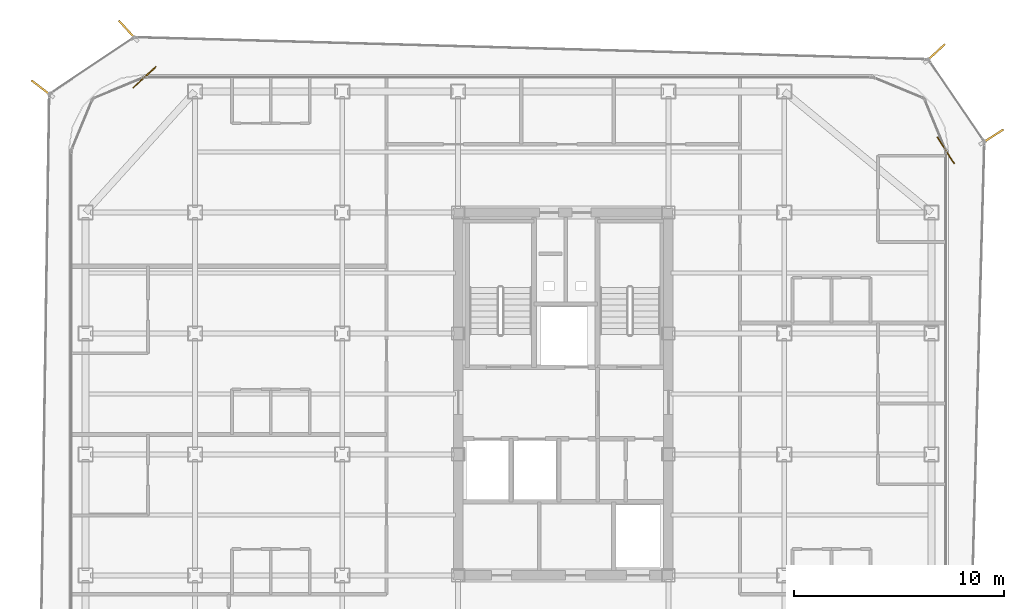
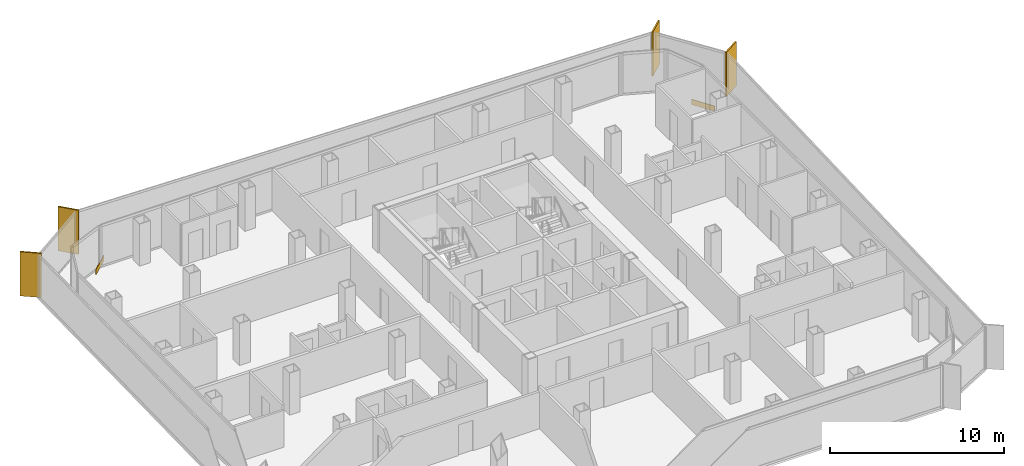
# One storey, part 15 of 15: 4 shading devices, 2 coverings.
"""IFC4 building model written with IfcOpenShell, lengths in metres."""

from ifc_helpers import new_model, si_unit, direction, frame, origin, origin_2d, place, context, subcontext, project, spatial, rectangle, extrude, source, transform, mapped, material, layer, layer_set, type_object, element, save


model = new_model("IFC4")

# Units and contexts
model_context = context("Model", 3, precision=1e-05, world=origin(), true_north=direction((0.0, 1.0)))
body_context = subcontext(model_context, "Body", "Model", "MODEL_VIEW")
ifc_project = project(units=[si_unit("LENGTHUNIT", "METRE"), si_unit("AREAUNIT", "SQUARE_METRE"), si_unit("VOLUMEUNIT", "CUBIC_METRE"), si_unit("PLANEANGLEUNIT", "RADIAN"), si_unit("MASSUNIT", "GRAM", prefix="KILO")], contexts=[model_context])

# Site, building, storey
site_placement = place(None, origin())
site = spatial("IfcSite", under=ifc_project, at=site_placement, CompositionType="ELEMENT")
building_placement = place(site_placement, origin())
building = spatial("IfcBuilding", under=site, at=building_placement, Name="Kolveth Station Tower", CompositionType="ELEMENT")
storey_placement = place(building_placement, frame((0.0, 0.0, 193.199951171875)))
storey = spatial("IfcBuildingStorey", under=building, at=storey_placement, Name="L54", CompositionType="ELEMENT", Elevation=193.199951171875)

# Shading devices
ifc_material_1 = material(Name="Black anodized aluminium 6063-T6", Category="aluminium")
shading_device_type = type_object("IfcShadingDeviceType", Name="FIN_VF1", PredefinedType="USERDEFINED", material=ifc_material_1)
shared_shape_1 = source(origin(), body_context, "Body", "SweptSolid", [
    extrude(rectangle(XDim=1.25, YDim=0.090087890625, at=origin_2d()), origin(), (0.0, 0.0, 1.0), 3.10009765625),
])
for number, where, z_axis, x_axis, name in (
    (1, (43.89501953125, 32.361083984375, 0.0), (0.0, 0.0, 1.0), (0.842358350935, 0.538917812481, 0.0), "L54 Dark-Aluminium Solar Fin 3"),
    (2, (41.18310546875, 36.330078125, 0.0), (0.0, 0.0, 1.0), (0.735624359204, 0.677389697402, 0.0), "L54 Dark-Aluminium Solar Fin 4"),
    (3, (2.802001953125, 37.406982421875, 0.0), (0.0, 0.0, 1.0), (-0.675461518156, 0.737395238315, 0.0), "L54 Dark-Aluminium Solar Fin 5"),
    (4, (-1.280029296875, 34.652099609375, 0.0), (0.0, 0.0, 1.0), (-0.793671978264, 0.608345946742, 0.0), "L54 Dark-Aluminium Solar Fin 6"),
):
    element("IfcShadingDevice", number, at=place(storey_placement, frame(where, z_axis=z_axis, x_axis=x_axis)), inside=storey, type_object=shading_device_type, Name=name, ObjectType="FIN", PredefinedType="USERDEFINED", context=body_context, shape_type="MappedRepresentation", body=[
        mapped(shared_shape_1, transform((0.0, 0.0, 0.0), x_axis=(1.0, 0.0, 0.0), y_axis=(0.0, 1.0, 0.0), z_axis=(0.0, 0.0, 1.0), scale=1.0)),
    ])

# Coverings
ifc_material_2 = material(Name="Charcoal anodized aluminium spandrel cladding", Category="aluminium")
ifc_layer = layer(ifc_material_2, 0.044921875)
ifc_layer_set = layer_set([ifc_layer], Name="Charcoal anodized aluminium spandrel cladding")
covering_type = type_object("IfcCoveringType", Name="Clad_CD1", PredefinedType="CLADDING", material=ifc_layer_set)
shared_shape_2 = source(origin(), body_context, "Body", "SweptSolid", [
    extrude(rectangle(XDim=1.5, YDim=0.044921875, at=origin_2d()), origin(), (0.0, 0.0, 1.0), 0.360107421875),
])
for number, where, z_axis, x_axis, name in (
    (5, (41.679931640625, 31.699951171875, 0.0), (0.0, 0.0, 1.0), (-0.538917812481, 0.842358350935, 0.0), "L54 Spandrel Edge Cladding 3"),
    (6, (3.60009765625, 35.179931640625, 0.0), (0.0, 0.0, 1.0), (-0.737395238315, -0.675461518156, 0.0), "L54 Spandrel Edge Cladding 5"),
):
    element("IfcCovering", number, at=place(storey_placement, frame(where, z_axis=z_axis, x_axis=x_axis)), inside=storey, type_object=covering_type, Name=name, PredefinedType="CLADDING", context=body_context, shape_type="MappedRepresentation", body=[
        mapped(shared_shape_2, transform((0.0, 0.0, 0.0), x_axis=(1.0, 0.0, 0.0), y_axis=(0.0, 1.0, 0.0), z_axis=(0.0, 0.0, 1.0), scale=1.0)),
    ])

save(model, "model.ifc")
